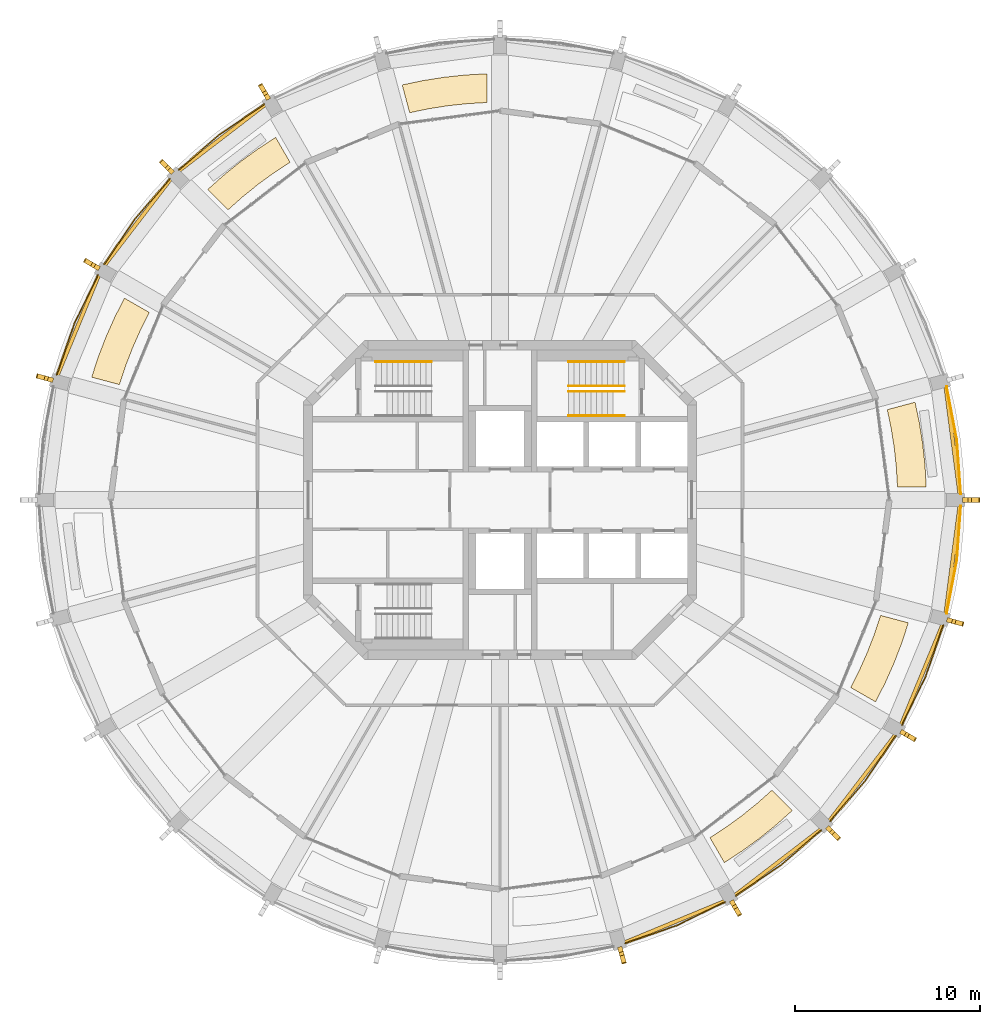
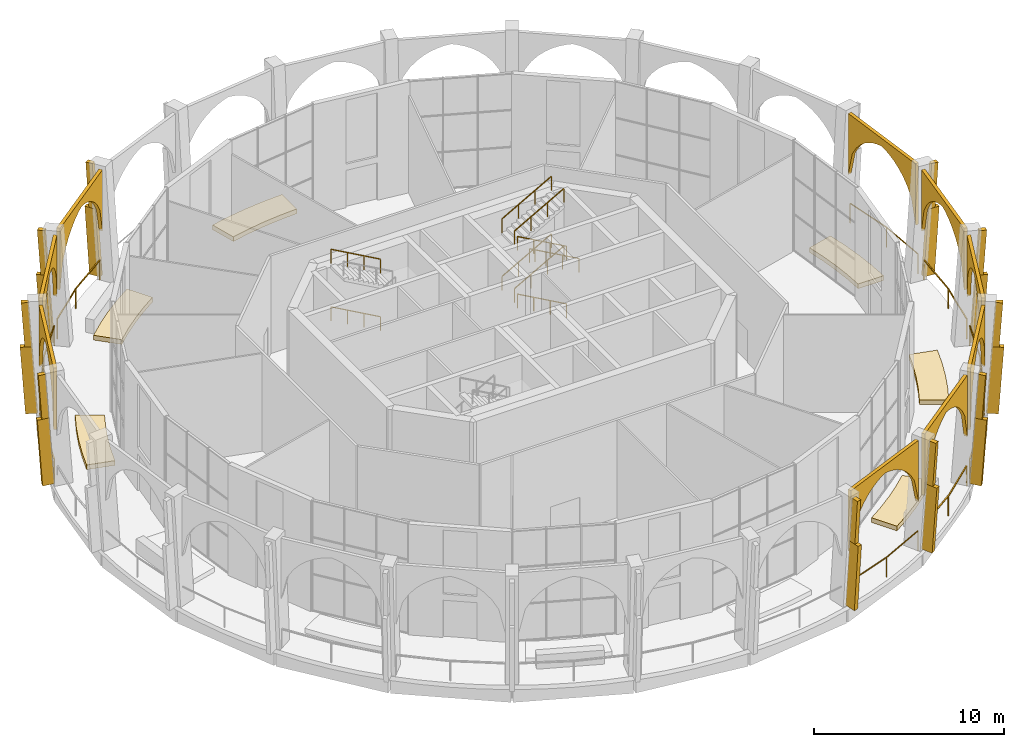
# One storey, part 16 of 17: 35 coverings, 18 railings.
"""IFC4 building model written with IfcOpenShell, lengths in metres."""

from ifc_helpers import new_model, si_unit, direction, frame, origin, origin_2d, place, context, subcontext, project, spatial, polyline, rectangle, outline, extrude, material, layer, layer_set, material_profile, profile_set, type_object, element, save


model = new_model("IFC4")

# Units and contexts
model_context = context("Model", 3, precision=1e-05, world=origin(), true_north=direction((0.0, 1.0)))
body_context = subcontext(model_context, "Body", "Model", "MODEL_VIEW")
ifc_project = project(units=[si_unit("LENGTHUNIT", "METRE"), si_unit("AREAUNIT", "SQUARE_METRE"), si_unit("VOLUMEUNIT", "CUBIC_METRE"), si_unit("PLANEANGLEUNIT", "RADIAN"), si_unit("MASSUNIT", "GRAM", prefix="KILO")], contexts=[model_context])

# Site, building, storey
site_placement = place(None, origin())
site = spatial("IfcSite", under=ifc_project, at=site_placement, CompositionType="ELEMENT")
building_placement = place(site_placement, origin())
building = spatial("IfcBuilding", under=site, at=building_placement, Name="Torre Triforio", CompositionType="ELEMENT")
storey_placement = place(building_placement, frame((0.0, 0.0, 276.0)))
storey = spatial("IfcBuildingStorey", under=building, at=storey_placement, Name="L64", CompositionType="ELEMENT", Elevation=276.0)

# Railings
ifc_material_1 = material(Name="Stainless steel AISI 316", Category="steel")
railing_type_1 = type_object("IfcRailingType", Name="HANDRAIL 920", PredefinedType="HANDRAIL", material=ifc_material_1)
railing_1_placement = place(storey_placement, frame((-3.699951171875, 7.449951171875, 2.01806640625)))
element("IfcRailing", 1, at=railing_1_placement, inside=storey, type_object=railing_type_1, Name="Handrail ST1", PredefinedType="HANDRAIL", context=body_context, shape_type="SweptSolid", body=[
    extrude(rectangle(XDim=0.048095703125, YDim=0.048095703125, at=origin_2d()), frame((0.0, 0.0, 0.89599609375), z_axis=(-0.872272294576, 0.0, 0.489020494575), x_axis=(0.0, -1.0, 0.0)), (0.0, 0.0, 1.0), 3.439208984375),
    extrude(rectangle(XDim=0.0419921875, YDim=0.0419921875, at=origin_2d()), origin(), (0.0, 0.0, 1.0), 0.871826171875),
    extrude(rectangle(XDim=0.0419921875, YDim=0.0419921875, at=origin_2d()), frame((-1.0, 0.0, 0.560546875)), (0.0, 0.0, 1.0), 0.871826171875),
    extrude(rectangle(XDim=0.0419921875, YDim=0.0419921875, at=origin_2d()), frame((-2.0, 0.0, 1.121337890625)), (0.0, 0.0, 1.0), 0.871826171875),
    extrude(rectangle(XDim=0.0419921875, YDim=0.0419921875, at=origin_2d()), frame((-3.0, 0.0, 1.681884765625)), (0.0, 0.0, 1.0), 0.871826171875),
])
railing_2_placement = place(storey_placement, frame((-3.699951171875, 7.449951171875, 5.71826171875)))
element("IfcRailing", 2, at=railing_2_placement, inside=storey, type_object=railing_type_1, Name="Handrail ST1", PredefinedType="HANDRAIL", context=body_context, shape_type="SweptSolid", body=[
    extrude(rectangle(XDim=0.048095703125, YDim=0.048095703125, at=origin_2d()), frame((0.0, 0.0, 0.89599609375), z_axis=(-0.872302573547, 0.0, 0.488966481656), x_axis=(0.0, -1.0, 0.0)), (0.0, 0.0, 1.0), 3.439208984375),
    extrude(rectangle(XDim=0.0419921875, YDim=0.0419921875, at=origin_2d()), origin(), (0.0, 0.0, 1.0), 0.871826171875),
    extrude(rectangle(XDim=0.0419921875, YDim=0.0419921875, at=origin_2d()), frame((-1.0, 0.0, 0.560546875)), (0.0, 0.0, 1.0), 0.871826171875),
    extrude(rectangle(XDim=0.0419921875, YDim=0.0419921875, at=origin_2d()), frame((-2.0, 0.0, 1.12109375)), (0.0, 0.0, 1.0), 0.871826171875),
    extrude(rectangle(XDim=0.0419921875, YDim=0.0419921875, at=origin_2d()), frame((-3.0, 0.0, 1.681640625)), (0.0, 0.0, 1.0), 0.871826171875),
])
railing_3_placement = place(storey_placement, frame((6.699951171875, 5.85009765625, 0.168212890625)))
element("IfcRailing", 3, at=railing_3_placement, inside=storey, type_object=railing_type_1, Name="Handrail ST2", PredefinedType="HANDRAIL", context=body_context, shape_type="SweptSolid", body=[
    extrude(rectangle(XDim=0.048095703125, YDim=0.048095703125, at=origin_2d()), frame((0.0, 0.0, 0.89599609375), z_axis=(-0.872272294576, 0.0, 0.489020494575), x_axis=(0.0, -1.0, 0.0)), (0.0, 0.0, 1.0), 3.439208984375),
    extrude(rectangle(XDim=0.0419921875, YDim=0.0419921875, at=origin_2d()), origin(), (0.0, 0.0, 1.0), 0.871826171875),
    extrude(rectangle(XDim=0.0419921875, YDim=0.0419921875, at=origin_2d()), frame((-1.0, 0.0, 0.560546875)), (0.0, 0.0, 1.0), 0.871826171875),
    extrude(rectangle(XDim=0.0419921875, YDim=0.0419921875, at=origin_2d()), frame((-2.0, 0.0, 1.121337890625)), (0.0, 0.0, 1.0), 0.871826171875),
    extrude(rectangle(XDim=0.0419921875, YDim=0.0419921875, at=origin_2d()), frame((-3.0, 0.0, 1.681884765625)), (0.0, 0.0, 1.0), 0.871826171875),
])
for number, where, name in (
    (4, (3.699951171875, 7.449951171875, 2.01806640625), "Handrail ST2"),
    (5, (3.699951171875, 6.14990234375, 2.01806640625), "Handrail ST2"),
):
    element("IfcRailing", number, at=place(storey_placement, frame(where)), inside=storey, type_object=railing_type_1, Name=name, PredefinedType="HANDRAIL", context=body_context, shape_type="SweptSolid", body=[
        extrude(rectangle(XDim=0.048095703125, YDim=0.048095703125, at=origin_2d()), frame((0.0, 0.0, 0.89599609375), z_axis=(0.872272294576, 0.0, 0.489020494575), x_axis=(0.0, 1.0, 0.0)), (0.0, 0.0, 1.0), 3.439208984375),
        extrude(rectangle(XDim=0.0419921875, YDim=0.0419921875, at=origin_2d()), origin(), (0.0, 0.0, 1.0), 0.871826171875),
        extrude(rectangle(XDim=0.0419921875, YDim=0.0419921875, at=origin_2d()), frame((1.0, 0.0, 0.560546875)), (0.0, 0.0, 1.0), 0.871826171875),
        extrude(rectangle(XDim=0.0419921875, YDim=0.0419921875, at=origin_2d()), frame((2.0, 0.0, 1.121337890625)), (0.0, 0.0, 1.0), 0.871826171875),
        extrude(rectangle(XDim=0.0419921875, YDim=0.0419921875, at=origin_2d()), frame((3.0, 0.0, 1.681884765625)), (0.0, 0.0, 1.0), 0.871826171875),
    ])
for number, where, name in (
    (6, (6.699951171875, 4.550048828125, 3.8681640625), "Handrail ST2"),
    (7, (6.699951171875, 5.85009765625, 3.8681640625), "Handrail ST2"),
):
    element("IfcRailing", number, at=place(storey_placement, frame(where)), inside=storey, type_object=railing_type_1, Name=name, PredefinedType="HANDRAIL", context=body_context, shape_type="SweptSolid", body=[
        extrude(rectangle(XDim=0.048095703125, YDim=0.048095703125, at=origin_2d()), frame((0.0, 0.0, 0.89599609375), z_axis=(-0.872272294576, 0.0, 0.489020494575), x_axis=(0.0, -1.0, 0.0)), (0.0, 0.0, 1.0), 3.439208984375),
        extrude(rectangle(XDim=0.0419921875, YDim=0.0419921875, at=origin_2d()), origin(), (0.0, 0.0, 1.0), 0.871826171875),
        extrude(rectangle(XDim=0.0419921875, YDim=0.0419921875, at=origin_2d()), frame((-1.0, 0.0, 0.560546875)), (0.0, 0.0, 1.0), 0.871826171875),
        extrude(rectangle(XDim=0.0419921875, YDim=0.0419921875, at=origin_2d()), frame((-2.0, 0.0, 1.121337890625)), (0.0, 0.0, 1.0), 0.871826171875),
        extrude(rectangle(XDim=0.0419921875, YDim=0.0419921875, at=origin_2d()), frame((-3.0, 0.0, 1.681884765625)), (0.0, 0.0, 1.0), 0.871826171875),
    ])
for number, where, name in (
    (8, (3.699951171875, 7.449951171875, 5.71826171875), "Handrail ST2"),
    (9, (3.699951171875, 6.14990234375, 5.71826171875), "Handrail ST2"),
):
    element("IfcRailing", number, at=place(storey_placement, frame(where)), inside=storey, type_object=railing_type_1, Name=name, PredefinedType="HANDRAIL", context=body_context, shape_type="SweptSolid", body=[
        extrude(rectangle(XDim=0.048095703125, YDim=0.048095703125, at=origin_2d()), frame((0.0, 0.0, 0.89599609375), z_axis=(0.872302573547, 0.0, 0.488966481656), x_axis=(0.0, 1.0, 0.0)), (0.0, 0.0, 1.0), 3.439208984375),
        extrude(rectangle(XDim=0.0419921875, YDim=0.0419921875, at=origin_2d()), origin(), (0.0, 0.0, 1.0), 0.871826171875),
        extrude(rectangle(XDim=0.0419921875, YDim=0.0419921875, at=origin_2d()), frame((1.0, 0.0, 0.560546875)), (0.0, 0.0, 1.0), 0.871826171875),
        extrude(rectangle(XDim=0.0419921875, YDim=0.0419921875, at=origin_2d()), frame((2.0, 0.0, 1.12109375)), (0.0, 0.0, 1.0), 0.871826171875),
        extrude(rectangle(XDim=0.0419921875, YDim=0.0419921875, at=origin_2d()), frame((3.0, 0.0, 1.681640625)), (0.0, 0.0, 1.0), 0.871826171875),
    ])

# Coverings
ifc_material_2 = material(Name="Limestone arch panel", Category="masonry")
ifc_layer_1 = layer(ifc_material_2, 0.199951171875)
ifc_layer_set_1 = layer_set([ifc_layer_1], Name="Limestone arch panel")
covering_type_1 = type_object("IfcCoveringType", Name="Lancet arch cladding panel 200", PredefinedType="CLADDING", material=ifc_layer_set_1)
covering_1_placement = place(storey_placement, frame((24.319580078125, 3.201904296875, 0.0), z_axis=(0.991607211055, 0.129287041048, 0.0), x_axis=(-0.129287041048, 0.991607211055, 0.0)))
element("IfcCovering", 10, at=covering_1_placement, inside=storey, type_object=covering_type_1, Name="Lancet arch panel L64 bay 01", PredefinedType="CLADDING", context=body_context, shape_type="SweptSolid", body=[
    extrude(outline(polyline([(-2.919921875, 7.1201171875), (-2.919921875, 3.1748046875), (-2.5546875, 4.72900390625), (-2.189697265625, 5.3115234375), (-1.824951171875, 5.714111328125), (-1.4599609375, 6.014892578125), (-1.094970703125, 6.243408203125), (-0.72998046875, 6.415283203125), (-0.364990234375, 6.5390625), (0.0, 6.6201171875), (0.364990234375, 6.5390625), (0.72998046875, 6.415283203125), (1.094970703125, 6.243408203125), (1.4599609375, 6.014892578125), (1.824951171875, 5.714111328125), (2.189697265625, 5.3115234375), (2.5546875, 4.72900390625), (2.919921875, 3.1748046875), (2.919921875, 7.1201171875), (-2.919921875, 7.1201171875)])), origin(), (0.0, 0.0, 1.0), 0.2001953125),
])
for number, where, z_axis, x_axis, name in (
    (11, (-14.9326171875, 19.460693359375, 0.0), (-0.608943800998, 0.793213368033, 0.0), (-0.793213368033, -0.608943800998, 0.0), "Lancet arch panel L64 bay 09"),
    (12, (-19.460693359375, 14.9326171875, 0.0), (-0.793213368033, 0.608943800998, 0.0), (-0.608943800998, -0.793213368033, 0.0), "Lancet arch panel L64 bay 10"),
    (13, (-22.662353515625, 9.38720703125, 0.0), (-0.924120904221, 0.382100188932, 0.0), (-0.382100188932, -0.924120904221, 0.0), "Lancet arch panel L64 bay 11"),
    (14, (9.38720703125, -22.662353515625, 0.0), (0.382100188932, -0.924120904221, 0.0), (0.924120904221, 0.382100188932, 0.0), "Lancet arch panel L64 bay 20"),
    (15, (14.9326171875, -19.460693359375, 0.0), (0.608943800998, -0.793213368033, 0.0), (0.793213368033, 0.608943800998, 0.0), "Lancet arch panel L64 bay 21"),
    (16, (19.460693359375, -14.9326171875, 0.0), (0.793213368033, -0.608943800998, 0.0), (0.608943800998, 0.793213368033, 0.0), "Lancet arch panel L64 bay 22"),
    (17, (22.662353515625, -9.38720703125, 0.0), (0.924120904221, -0.382100188932, 0.0), (0.382100188932, 0.924120904221, 0.0), "Lancet arch panel L64 bay 23"),
):
    element("IfcCovering", number, at=place(storey_placement, frame(where, z_axis=z_axis, x_axis=x_axis)), inside=storey, type_object=covering_type_1, Name=name, PredefinedType="CLADDING", context=body_context, shape_type="SweptSolid", body=[
        extrude(outline(polyline([(-2.919921875, 7.1201171875), (-2.919921875, 3.1748046875), (-2.5546875, 4.72900390625), (-2.189697265625, 5.3115234375), (-1.824951171875, 5.714111328125), (-1.4599609375, 6.014892578125), (-1.094970703125, 6.243408203125), (-0.72998046875, 6.415283203125), (-0.364990234375, 6.5390625), (0.0, 6.6201171875), (0.364990234375, 6.5390625), (0.72998046875, 6.415283203125), (1.094970703125, 6.243408203125), (1.4599609375, 6.014892578125), (1.824951171875, 5.714111328125), (2.189697265625, 5.3115234375), (2.5546875, 4.72900390625), (2.919921875, 3.1748046875), (2.919921875, 7.1201171875), (-2.919921875, 7.1201171875)])), origin(), (0.0, 0.0, 1.0), 0.199951171875),
    ])
covering_2_placement = place(storey_placement, frame((24.319580078125, -3.201904296875, 0.0), z_axis=(0.991607211055, -0.129287041048, 0.0), x_axis=(0.129287041048, 0.991607211055, 0.0)))
element("IfcCovering", 18, at=covering_2_placement, inside=storey, type_object=covering_type_1, Name="Lancet arch panel L64 bay 24", PredefinedType="CLADDING", context=body_context, shape_type="SweptSolid", body=[
    extrude(outline(polyline([(-2.919921875, 7.1201171875), (-2.919921875, 3.1748046875), (-2.5546875, 4.72900390625), (-2.189697265625, 5.3115234375), (-1.824951171875, 5.714111328125), (-1.4599609375, 6.014892578125), (-1.094970703125, 6.243408203125), (-0.72998046875, 6.415283203125), (-0.364990234375, 6.5390625), (0.0, 6.6201171875), (0.364990234375, 6.5390625), (0.72998046875, 6.415283203125), (1.094970703125, 6.243408203125), (1.4599609375, 6.014892578125), (1.824951171875, 5.714111328125), (2.189697265625, 5.3115234375), (2.5546875, 4.72900390625), (2.919921875, 3.1748046875), (2.919921875, 7.1201171875), (-2.919921875, 7.1201171875)])), origin(), (0.0, 0.0, 1.0), 0.2001953125),
])

# Railings
railing_type_2 = type_object("IfcRailingType", Name="Loggia guard 1300", PredefinedType="GUARDRAIL", material=ifc_material_1)
railing_4_placement = place(storey_placement, frame((24.85009765625, 0.320068359375, 0.0)))
element("IfcRailing", 19, at=railing_4_placement, inside=storey, type_object=railing_type_2, Name="Loggia guard L64 bay 01", PredefinedType="GUARDRAIL", context=body_context, shape_type="SweptSolid", body=[
    extrude(rectangle(XDim=0.050048828125, YDim=0.050048828125, at=origin_2d()), frame((0.0, 0.0, 1.27490234375), z_axis=(-0.072543227511, 0.997365269168, 0.0), x_axis=(-0.997365269168, -0.072543227511, 0.0)), (0.0, 0.0, 1.0), 2.931396484375),
    extrude(rectangle(XDim=0.050048828125, YDim=0.050048828125, at=origin_2d()), frame((-0.212646484375, 2.923583984375, 1.27490234375), z_axis=(-0.188068851895, 0.982155846568, 0.0), x_axis=(-0.982155846568, -0.188068851895, 0.0)), (0.0, 0.0, 1.0), 2.93115234375),
    extrude(rectangle(XDim=0.0400390625, YDim=0.0400390625, at=origin_2d()), origin(), (0.0, 0.0, 1.0), 1.25),
    extrude(rectangle(XDim=0.0400390625, YDim=0.0400390625, at=origin_2d()), frame((-0.212646484375, 2.923583984375, 0.0)), (0.0, 0.0, 1.0), 1.25),
    extrude(rectangle(XDim=0.0400390625, YDim=0.0400390625, at=origin_2d()), frame((-0.763916015625, 5.802490234375, 0.0)), (0.0, 0.0, 1.0), 1.25),
])
railing_5_placement = place(storey_placement, frame((-12.7021484375, 21.360595703125, 0.0)))
element("IfcRailing", 20, at=railing_5_placement, inside=storey, type_object=railing_type_2, Name="Loggia guard L64 bay 09", PredefinedType="GUARDRAIL", context=body_context, shape_type="SweptSolid", body=[
    extrude(rectangle(XDim=0.050048828125, YDim=0.050048828125, at=origin_2d()), frame((0.0, 0.0, 1.27490234375), z_axis=(-0.827499269821, -0.561466791934, 0.0), x_axis=(0.561466791934, -0.827499269821, 0.0)), (0.0, 0.0, 1.0), 2.93115234375),
    extrude(rectangle(XDim=0.050048828125, YDim=0.050048828125, at=origin_2d()), frame((-2.425537109375, -1.645751953125, 1.27490234375), z_axis=(-0.756510170049, -0.653981928353, 0.0), x_axis=(0.653981928353, -0.756510170049, 0.0)), (0.0, 0.0, 1.0), 2.93115234375),
    extrude(rectangle(XDim=0.0400390625, YDim=0.0400390625, at=origin_2d()), origin(), (0.0, 0.0, 1.0), 1.25),
    extrude(rectangle(XDim=0.0400390625, YDim=0.0400390625, at=origin_2d()), frame((-2.425537109375, -1.645751953125, 0.0)), (0.0, 0.0, 1.0), 1.25),
    extrude(rectangle(XDim=0.0400390625, YDim=0.0400390625, at=origin_2d()), frame((-4.64306640625, -3.562744140625, 0.0)), (0.0, 0.0, 1.0), 1.25),
])
railing_6_placement = place(storey_placement, frame((-17.7978515625, 17.34521484375, 0.0)))
element("IfcRailing", 21, at=railing_6_placement, inside=storey, type_object=railing_type_2, Name="Loggia guard L64 bay 10", PredefinedType="GUARDRAIL", context=body_context, shape_type="SweptSolid", body=[
    extrude(rectangle(XDim=0.050048828125, YDim=0.050048828125, at=origin_2d()), frame((0.0, 0.0, 1.27490234375), z_axis=(-0.653981928353, -0.756510170049, 0.0), x_axis=(0.756510170049, -0.653981928353, 0.0)), (0.0, 0.0, 1.0), 2.93115234375),
    extrude(rectangle(XDim=0.050048828125, YDim=0.050048828125, at=origin_2d()), frame((-1.9169921875, -2.217529296875, 1.27490234375), z_axis=(-0.561466791934, -0.827499269821, 0.0), x_axis=(0.827499269821, -0.561466791934, 0.0)), (0.0, 0.0, 1.0), 2.93115234375),
    extrude(rectangle(XDim=0.0400390625, YDim=0.0400390625, at=origin_2d()), origin(), (0.0, 0.0, 1.0), 1.25),
    extrude(rectangle(XDim=0.0400390625, YDim=0.0400390625, at=origin_2d()), frame((-1.9169921875, -2.217529296875, 0.0)), (0.0, 0.0, 1.0), 1.25),
    extrude(rectangle(XDim=0.0400390625, YDim=0.0400390625, at=origin_2d()), frame((-3.562744140625, -4.64306640625, 0.0)), (0.0, 0.0, 1.0), 1.25),
])
railing_7_placement = place(storey_placement, frame((-21.6806640625, 12.14794921875, 0.0)))
element("IfcRailing", 22, at=railing_7_placement, inside=storey, type_object=railing_type_2, Name="Loggia guard L64 bay 11", PredefinedType="GUARDRAIL", context=body_context, shape_type="SweptSolid", body=[
    extrude(rectangle(XDim=0.050048828125, YDim=0.050048828125, at=origin_2d()), frame((0.0, 0.0, 1.27490234375), z_axis=(-0.435917913275, -0.899986429279, 0.0), x_axis=(0.899986429279, -0.435917913275, 0.0)), (0.0, 0.0, 1.0), 2.931396484375),
    extrude(rectangle(XDim=0.050048828125, YDim=0.050048828125, at=origin_2d()), frame((-1.27783203125, -2.63818359375, 1.27490234375), z_axis=(-0.328145883403, -0.944627058264, 0.0), x_axis=(0.944627058264, -0.328145883403, 0.0)), (0.0, 0.0, 1.0), 2.931396484375),
    extrude(rectangle(XDim=0.0400390625, YDim=0.0400390625, at=origin_2d()), origin(), (0.0, 0.0, 1.0), 1.25),
    extrude(rectangle(XDim=0.0400390625, YDim=0.0400390625, at=origin_2d()), frame((-1.27783203125, -2.63818359375, 0.0)), (0.0, 0.0, 1.0), 1.25),
    extrude(rectangle(XDim=0.0400390625, YDim=0.0400390625, at=origin_2d()), frame((-2.23974609375, -5.4072265625, 0.0)), (0.0, 0.0, 1.0), 1.25),
])
railing_8_placement = place(storey_placement, frame((6.74072265625, -23.92041015625, 0.0)))
element("IfcRailing", 23, at=railing_8_placement, inside=storey, type_object=railing_type_2, Name="Loggia guard L64 bay 20", PredefinedType="GUARDRAIL", context=body_context, shape_type="SweptSolid", body=[
    extrude(rectangle(XDim=0.050048828125, YDim=0.050048828125, at=origin_2d()), frame((0.0, 0.0, 1.27490234375), z_axis=(0.944627058264, 0.328145883403, 0.0), x_axis=(-0.328145883403, 0.944627058264, 0.0)), (0.0, 0.0, 1.0), 2.931396484375),
    extrude(rectangle(XDim=0.050048828125, YDim=0.050048828125, at=origin_2d()), frame((2.76904296875, 0.9619140625, 1.27490234375), z_axis=(0.899986429279, 0.435917913275, 0.0), x_axis=(-0.435917913275, 0.899986429279, 0.0)), (0.0, 0.0, 1.0), 2.931396484375),
    extrude(rectangle(XDim=0.0400390625, YDim=0.0400390625, at=origin_2d()), origin(), (0.0, 0.0, 1.0), 1.25),
    extrude(rectangle(XDim=0.0400390625, YDim=0.0400390625, at=origin_2d()), frame((2.76904296875, 0.9619140625, 0.0)), (0.0, 0.0, 1.0), 1.25),
    extrude(rectangle(XDim=0.0400390625, YDim=0.0400390625, at=origin_2d()), frame((5.4072265625, 2.23974609375, 0.0)), (0.0, 0.0, 1.0), 1.25),
])
railing_9_placement = place(storey_placement, frame((12.7021484375, -21.360595703125, 0.0)))
element("IfcRailing", 24, at=railing_9_placement, inside=storey, type_object=railing_type_2, Name="Loggia guard L64 bay 21", PredefinedType="GUARDRAIL", context=body_context, shape_type="SweptSolid", body=[
    extrude(rectangle(XDim=0.050048828125, YDim=0.050048828125, at=origin_2d()), frame((0.0, 0.0, 1.27490234375), z_axis=(0.827499269821, 0.561466791934, 0.0), x_axis=(-0.561466791934, 0.827499269821, 0.0)), (0.0, 0.0, 1.0), 2.93115234375),
    extrude(rectangle(XDim=0.050048828125, YDim=0.050048828125, at=origin_2d()), frame((2.425537109375, 1.645751953125, 1.27490234375), z_axis=(0.756510170049, 0.653981928353, 0.0), x_axis=(-0.653981928353, 0.756510170049, 0.0)), (0.0, 0.0, 1.0), 2.93115234375),
    extrude(rectangle(XDim=0.0400390625, YDim=0.0400390625, at=origin_2d()), origin(), (0.0, 0.0, 1.0), 1.25),
    extrude(rectangle(XDim=0.0400390625, YDim=0.0400390625, at=origin_2d()), frame((2.425537109375, 1.645751953125, 0.0)), (0.0, 0.0, 1.0), 1.25),
    extrude(rectangle(XDim=0.0400390625, YDim=0.0400390625, at=origin_2d()), frame((4.64306640625, 3.562744140625, 0.0)), (0.0, 0.0, 1.0), 1.25),
])
railing_10_placement = place(storey_placement, frame((17.7978515625, -17.34521484375, 0.0)))
element("IfcRailing", 25, at=railing_10_placement, inside=storey, type_object=railing_type_2, Name="Loggia guard L64 bay 22", PredefinedType="GUARDRAIL", context=body_context, shape_type="SweptSolid", body=[
    extrude(rectangle(XDim=0.050048828125, YDim=0.050048828125, at=origin_2d()), frame((0.0, 0.0, 1.27490234375), z_axis=(0.653981928353, 0.756510170049, 0.0), x_axis=(-0.756510170049, 0.653981928353, 0.0)), (0.0, 0.0, 1.0), 2.93115234375),
    extrude(rectangle(XDim=0.050048828125, YDim=0.050048828125, at=origin_2d()), frame((1.9169921875, 2.217529296875, 1.27490234375), z_axis=(0.561466791934, 0.827499269821, 0.0), x_axis=(-0.827499269821, 0.561466791934, 0.0)), (0.0, 0.0, 1.0), 2.93115234375),
    extrude(rectangle(XDim=0.0400390625, YDim=0.0400390625, at=origin_2d()), origin(), (0.0, 0.0, 1.0), 1.25),
    extrude(rectangle(XDim=0.0400390625, YDim=0.0400390625, at=origin_2d()), frame((1.9169921875, 2.217529296875, 0.0)), (0.0, 0.0, 1.0), 1.25),
    extrude(rectangle(XDim=0.0400390625, YDim=0.0400390625, at=origin_2d()), frame((3.562744140625, 4.64306640625, 0.0)), (0.0, 0.0, 1.0), 1.25),
])
railing_11_placement = place(storey_placement, frame((21.6806640625, -12.14794921875, 0.0)))
element("IfcRailing", 26, at=railing_11_placement, inside=storey, type_object=railing_type_2, Name="Loggia guard L64 bay 23", PredefinedType="GUARDRAIL", context=body_context, shape_type="SweptSolid", body=[
    extrude(rectangle(XDim=0.050048828125, YDim=0.050048828125, at=origin_2d()), frame((0.0, 0.0, 1.27490234375), z_axis=(0.435917913275, 0.899986429279, 0.0), x_axis=(-0.899986429279, 0.435917913275, 0.0)), (0.0, 0.0, 1.0), 2.931396484375),
    extrude(rectangle(XDim=0.050048828125, YDim=0.050048828125, at=origin_2d()), frame((1.27783203125, 2.63818359375, 1.27490234375), z_axis=(0.328145883403, 0.944627058264, 0.0), x_axis=(-0.944627058264, 0.328145883403, 0.0)), (0.0, 0.0, 1.0), 2.931396484375),
    extrude(rectangle(XDim=0.0400390625, YDim=0.0400390625, at=origin_2d()), origin(), (0.0, 0.0, 1.0), 1.25),
    extrude(rectangle(XDim=0.0400390625, YDim=0.0400390625, at=origin_2d()), frame((1.27783203125, 2.63818359375, 0.0)), (0.0, 0.0, 1.0), 1.25),
    extrude(rectangle(XDim=0.0400390625, YDim=0.0400390625, at=origin_2d()), frame((2.23974609375, 5.4072265625, 0.0)), (0.0, 0.0, 1.0), 1.25),
])
railing_12_placement = place(storey_placement, frame((24.086181640625, -6.12255859375, 0.0)))
element("IfcRailing", 27, at=railing_12_placement, inside=storey, type_object=railing_type_2, Name="Loggia guard L64 bay 24", PredefinedType="GUARDRAIL", context=body_context, shape_type="SweptSolid", body=[
    extrude(rectangle(XDim=0.050048828125, YDim=0.050048828125, at=origin_2d()), frame((0.0, 0.0, 1.27490234375), z_axis=(0.188068851895, 0.982155846568, 0.0), x_axis=(-0.982155846568, 0.188068851895, 0.0)), (0.0, 0.0, 1.0), 2.93115234375),
    extrude(rectangle(XDim=0.050048828125, YDim=0.050048828125, at=origin_2d()), frame((0.55126953125, 2.87890625, 1.27490234375), z_axis=(0.072543227511, 0.997365269168, 0.0), x_axis=(-0.997365269168, 0.072543227511, 0.0)), (0.0, 0.0, 1.0), 2.931396484375),
    extrude(rectangle(XDim=0.0400390625, YDim=0.0400390625, at=origin_2d()), origin(), (0.0, 0.0, 1.0), 1.25),
    extrude(rectangle(XDim=0.0400390625, YDim=0.0400390625, at=origin_2d()), frame((0.55126953125, 2.87890625, 0.0)), (0.0, 0.0, 1.0), 1.25),
    extrude(rectangle(XDim=0.0400390625, YDim=0.0400390625, at=origin_2d()), frame((0.763916015625, 5.802490234375, 0.0)), (0.0, 0.0, 1.0), 1.25),
])

# Coverings
ifc_material_3 = material(Name="Planted topsoil bed")
ifc_layer_2 = layer(ifc_material_3, 0.300048828125)
ifc_layer_set_2 = layer_set([ifc_layer_2], Name="Planted topsoil bed")
covering_type_2 = type_object("IfcCoveringType", Name="Planted bed 300", PredefinedType="FLOORING", material=ifc_layer_set_2)
covering_3_placement = place(storey_placement, origin())
element("IfcCovering", 28, at=covering_3_placement, inside=storey, type_object=covering_type_2, Name="Sky garden L64 planted bed 01", PredefinedType="FLOORING", context=body_context, shape_type="SweptSolid", body=[
    extrude(outline(polyline([(21.438720703125, 0.69970703125), (21.37841796875, 1.751708984375), (21.2666015625, 2.7998046875), (21.103271484375, 3.841064453125), (20.88916015625, 4.872802734375), (22.38720703125, 5.274169921875), (22.623779296875, 4.143310546875), (22.80322265625, 3.002197265625), (22.92529296875, 1.853271484375), (22.989501953125, 0.69970703125), (21.438720703125, 0.69970703125)])), origin(), (0.0, 0.0, 1.0), 0.300048828125),
])
covering_4_placement = place(storey_placement, origin())
element("IfcCovering", 29, at=covering_4_placement, inside=storey, type_object=covering_type_2, Name="Sky garden L64 planted bed 07", PredefinedType="FLOORING", context=body_context, shape_type="SweptSolid", body=[
    extrude(outline(polyline([(-0.69970703125, 21.438720703125), (-1.751708984375, 21.37841796875), (-2.7998046875, 21.2666015625), (-3.841064453125, 21.103271484375), (-4.872802734375, 20.88916015625), (-5.274169921875, 22.38720703125), (-4.143310546875, 22.623779296875), (-3.002197265625, 22.80322265625), (-1.853271484375, 22.92529296875), (-0.69970703125, 22.989501953125), (-0.69970703125, 21.438720703125)])), origin(), (0.0, 0.0, 1.0), 0.300048828125),
])
covering_5_placement = place(storey_placement, origin())
element("IfcCovering", 30, at=covering_5_placement, inside=storey, type_object=covering_type_2, Name="Sky garden L64 planted bed 09", PredefinedType="FLOORING", context=body_context, shape_type="SweptSolid", body=[
    extrude(outline(polyline([(-11.3251953125, 18.216552734375), (-12.206298828125, 17.63818359375), (-13.057861328125, 17.017333984375), (-13.8779296875, 16.35546875), (-14.664794921875, 15.654052734375), (-15.76123046875, 16.750732421875), (-14.900146484375, 17.52099609375), (-14.00146484375, 18.2470703125), (-13.067626953125, 18.92724609375), (-12.1005859375, 19.5595703125), (-11.3251953125, 18.216552734375)])), origin(), (0.0, 0.0, 1.0), 0.300048828125),
])
covering_6_placement = place(storey_placement, origin())
element("IfcCovering", 31, at=covering_6_placement, inside=storey, type_object=covering_type_2, Name="Sky garden L64 planted bed 11", PredefinedType="FLOORING", context=body_context, shape_type="SweptSolid", body=[
    extrude(outline(polyline([(-18.916259765625, 10.11328125), (-19.39013671875, 9.172119140625), (-19.817138671875, 8.20849609375), (-20.196533203125, 7.225341796875), (-20.527099609375, 6.224609375), (-22.02490234375, 6.6259765625), (-21.664306640625, 7.7236328125), (-21.249267578125, 8.8017578125), (-20.780517578125, 9.857666015625), (-20.25927734375, 10.888671875), (-18.916259765625, 10.11328125)])), origin(), (0.0, 0.0, 1.0), 0.300048828125),
])
covering_7_placement = place(storey_placement, origin())
element("IfcCovering", 32, at=covering_7_placement, inside=storey, type_object=covering_type_2, Name="Sky garden L64 planted bed 21", PredefinedType="FLOORING", context=body_context, shape_type="SweptSolid", body=[
    extrude(outline(polyline([(11.3251953125, -18.216552734375), (12.206298828125, -17.63818359375), (13.057861328125, -17.017333984375), (13.8779296875, -16.35546875), (14.664794921875, -15.654052734375), (15.76123046875, -16.750732421875), (14.900146484375, -17.52099609375), (14.00146484375, -18.2470703125), (13.067626953125, -18.92724609375), (12.1005859375, -19.5595703125), (11.3251953125, -18.216552734375)])), origin(), (0.0, 0.0, 1.0), 0.300048828125),
])
covering_8_placement = place(storey_placement, origin())
element("IfcCovering", 33, at=covering_8_placement, inside=storey, type_object=covering_type_2, Name="Sky garden L64 planted bed 23", PredefinedType="FLOORING", context=body_context, shape_type="SweptSolid", body=[
    extrude(outline(polyline([(18.916259765625, -10.11328125), (19.39013671875, -9.172119140625), (19.817138671875, -8.20849609375), (20.196533203125, -7.225341796875), (20.527099609375, -6.224609375), (22.02490234375, -6.6259765625), (21.664306640625, -7.7236328125), (21.249267578125, -8.8017578125), (20.780517578125, -9.857666015625), (20.25927734375, -10.888671875), (18.916259765625, -10.11328125)])), origin(), (0.0, 0.0, 1.0), 0.300048828125),
])
ifc_material_4 = material(Name="Limestone fin", Category="masonry")
ifc_material_profile_1 = material_profile(ifc_material_4, rectangle(XDim=0.39990234375, YDim=0.25, at=origin_2d()), Name="FIN 400x250")
ifc_profile_set_1 = profile_set([ifc_material_profile_1], Name="Limestone fin")
covering_type_3 = type_object("IfcCoveringType", Name="Stone fin 400 x 250", PredefinedType="CLADDING", material=ifc_profile_set_1)
for number, where, z_axis, x_axis, name in (
    (34, (25.440185546875, 0.0, 4.27197265625), (0.067393149312, 0.0, 0.997726497306), (-0.997726497306, 0.0, 0.067393149312), "Stone fin C01 L64 upper"),
    (35, (-12.72021484375, 22.03173828125, 4.27197265625), (-0.03369647841, 0.058412930848, 0.997723647536), (0.498548394586, -0.864234907365, 0.067435325664), "Stone fin C09 L64 upper"),
    (36, (-17.989013671875, 17.989013671875, 4.27197265625), (-0.047637113446, 0.047637113446, 0.997728124714), (0.705500322766, -0.705500322766, 0.067369051908), "Stone fin C10 L64 upper"),
    (37, (-22.03173828125, 12.72021484375, 4.27197265625), (-0.058412930848, 0.03369647841, 0.997723647536), (0.864234907365, -0.498548394586, 0.067435325664), "Stone fin C11 L64 upper"),
    (38, (-24.5732421875, 6.58447265625, 4.27197265625), (-0.065169203831, 0.017446873467, 0.997721695403), (0.96378118794, -0.258020160551, 0.06746420178), "Stone fin C12 L64 upper"),
    (39, (6.58447265625, -24.5732421875, 4.27197265625), (0.017446873467, -0.065169203831, 0.997721695403), (-0.258020160551, 0.96378118794, 0.06746420178), "Stone fin C20 L64 upper"),
    (40, (12.72021484375, -22.03173828125, 4.27197265625), (0.03369647841, -0.058412930848, 0.997723647536), (-0.498548394586, 0.864234907365, 0.067435325664), "Stone fin C21 L64 upper"),
    (41, (17.989013671875, -17.989013671875, 4.27197265625), (0.047637113446, -0.047637113446, 0.997728124714), (-0.705500322766, 0.705500322766, 0.067369051908), "Stone fin C22 L64 upper"),
    (42, (22.03173828125, -12.72021484375, 4.27197265625), (0.058412930848, -0.03369647841, 0.997723647536), (-0.864234907365, 0.498548394586, 0.067435325664), "Stone fin C23 L64 upper"),
    (43, (24.5732421875, -6.58447265625, 4.27197265625), (0.065169203831, -0.017446873467, 0.997721695403), (-0.96378118794, 0.258020160551, 0.06746420178), "Stone fin C24 L64 upper"),
):
    element("IfcCovering", number, at=place(storey_placement, frame(where, z_axis=z_axis, x_axis=x_axis)), inside=storey, type_object=covering_type_3, Name=name, PredefinedType="CLADDING", context=body_context, shape_type="SweptSolid", body=[
        extrude(rectangle(XDim=0.39990234375, YDim=0.25, at=origin_2d()), origin(), (0.0, 0.0, 1.0), 2.854736328125),
    ])
ifc_material_profile_2 = material_profile(ifc_material_4, rectangle(XDim=0.64990234375, YDim=0.25, at=origin_2d()), Name="FIN 650x250")
ifc_profile_set_2 = profile_set([ifc_material_profile_2], Name="Limestone fin")
covering_type_4 = type_object("IfcCoveringType", Name="Stone fin 650 x 250", PredefinedType="CLADDING", material=ifc_profile_set_2)
for number, where, z_axis, x_axis, name in (
    (44, (25.27685546875, 0.0, 0.0), (0.067396983295, 0.0, 0.997726238325), (-0.997726238325, 0.0, 0.067396983295), "Stone fin C01 L64"),
    (45, (-12.638427734375, 21.890380859375, 0.0), (-0.033698451494, 0.058387841505, 0.997725049466), (0.498731712289, -0.864130750227, 0.067414580535), "Stone fin C09 L64"),
    (46, (-17.873291015625, 17.873291015625, 0.0), (-0.047668203765, 0.047668203765, 0.99772515489), (0.705498222783, -0.705498222783, 0.067413020259), "Stone fin C10 L64"),
    (47, (-21.890380859375, 12.638427734375, 0.0), (-0.058387841505, 0.033698451494, 0.997725049466), (0.864130750227, -0.498731712289, 0.067414580535), "Stone fin C11 L64"),
    (48, (-24.41552734375, 6.5419921875, 0.0), (-0.065116133962, 0.017447930816, 0.997725141914), (0.963728055471, -0.258231860748, 0.067413212295), "Stone fin C12 L64"),
    (49, (6.5419921875, -24.41552734375, 0.0), (0.017447930816, -0.065116133962, 0.997725141914), (-0.258231860748, 0.963728055471, 0.067413212295), "Stone fin C20 L64"),
    (50, (12.638427734375, -21.890380859375, 0.0), (0.033698451494, -0.058387841505, 0.997725049466), (-0.498731712289, 0.864130750227, 0.067414580535), "Stone fin C21 L64"),
    (51, (17.873291015625, -17.873291015625, 0.0), (0.047668203765, -0.047668203765, 0.99772515489), (-0.705498222783, 0.705498222783, 0.067413020259), "Stone fin C22 L64"),
    (52, (21.890380859375, -12.638427734375, 0.0), (0.058387841505, -0.033698451494, 0.997725049466), (-0.864130750227, 0.498731712289, 0.067414580535), "Stone fin C23 L64"),
    (53, (24.41552734375, -6.5419921875, 0.0), (0.065116133962, -0.017447930816, 0.997725141914), (-0.963728055471, 0.258231860748, 0.067413212295), "Stone fin C24 L64"),
):
    element("IfcCovering", number, at=place(storey_placement, frame(where, z_axis=z_axis, x_axis=x_axis)), inside=storey, type_object=covering_type_4, Name=name, PredefinedType="CLADDING", context=body_context, shape_type="SweptSolid", body=[
        extrude(rectangle(XDim=0.64990234375, YDim=0.25, at=origin_2d()), origin(), (0.0, 0.0, 1.0), 4.28173828125),
    ])

save(model, "model.ifc")
